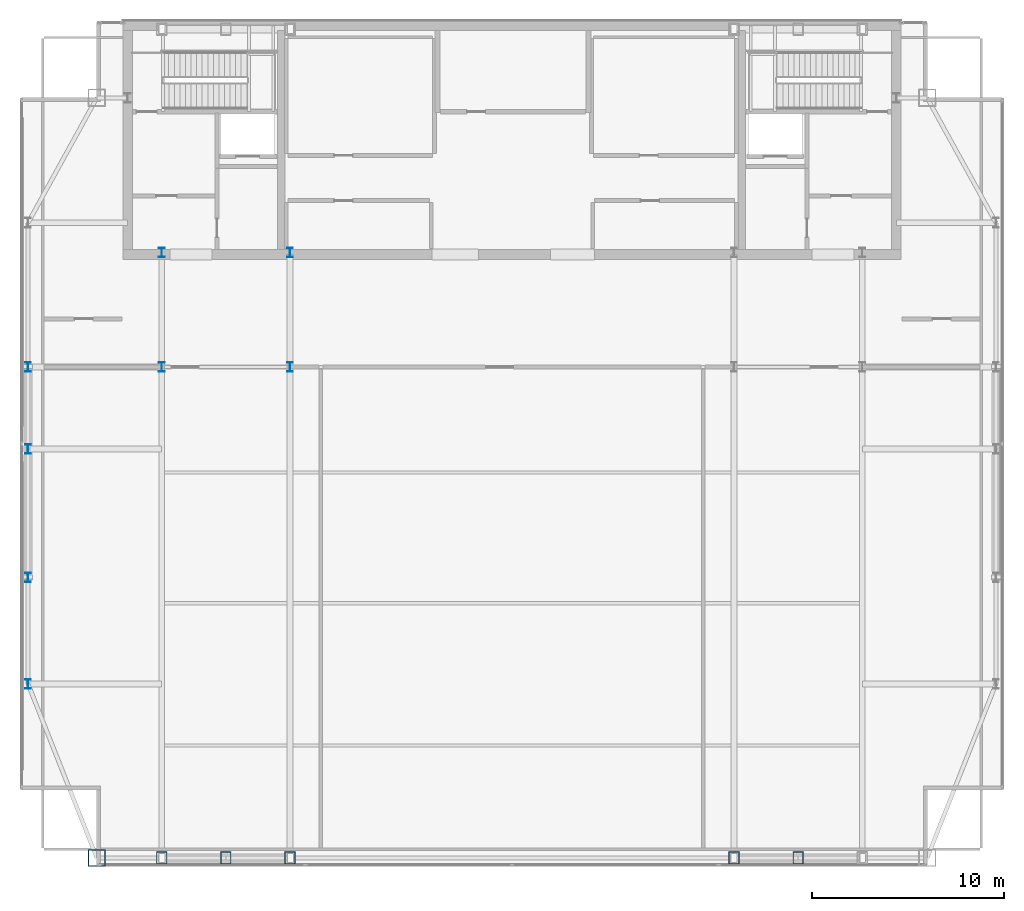
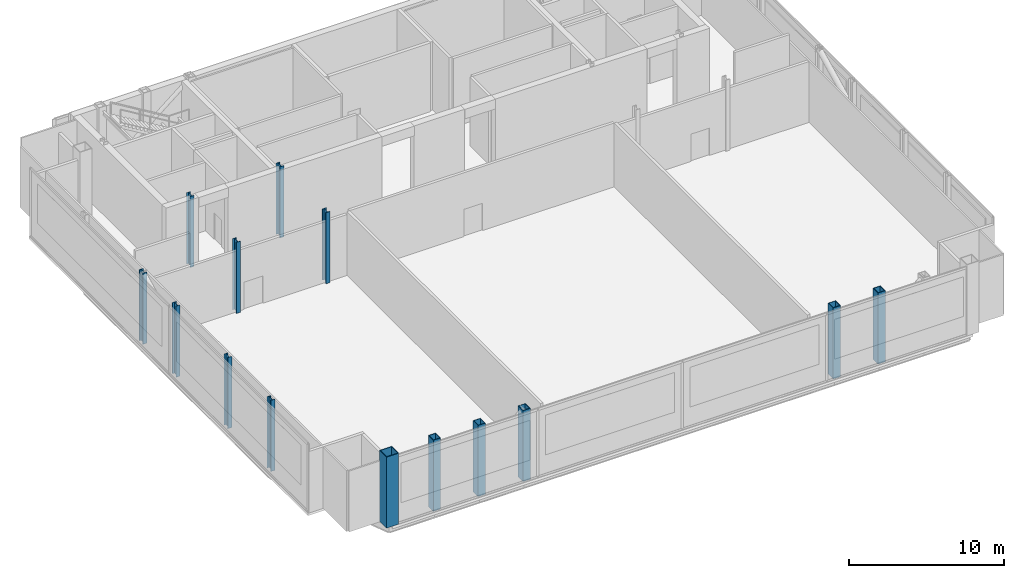
# One storey, part 1 of 22: 14 columns.
"""IFC4 building model written with IfcOpenShell, lengths in metres."""

from ifc_helpers import new_model, si_unit, direction, frame, origin, origin_2d, place, context, subcontext, project, spatial, hollow_rectangle, i_section, extrude, material, material_profile, profile_set, type_object, element, save


model = new_model("IFC4")

# Units and contexts
model_context = context("Model", 3, precision=1e-05, world=origin(), true_north=direction((0.0, 1.0)))
body_context = subcontext(model_context, "Body", "Model", "MODEL_VIEW")
ifc_project = project(units=[si_unit("LENGTHUNIT", "METRE"), si_unit("AREAUNIT", "SQUARE_METRE"), si_unit("VOLUMEUNIT", "CUBIC_METRE"), si_unit("PLANEANGLEUNIT", "RADIAN"), si_unit("MASSUNIT", "GRAM", prefix="KILO")], contexts=[model_context])

# Site, building, storey
site_placement = place(None, origin())
site = spatial("IfcSite", under=ifc_project, at=site_placement, CompositionType="ELEMENT")
building_placement = place(site_placement, origin())
building = spatial("IfcBuilding", under=site, at=building_placement, Name="Khoronbel Lancet Exchange", CompositionType="ELEMENT")
storey_placement = place(building_placement, frame((0.0, 0.0, 367.39990234375)))
storey = spatial("IfcBuildingStorey", under=building, at=storey_placement, Name="L94", CompositionType="ELEMENT", Elevation=367.39990234375)

# Columns
ifc_material_1 = material(Name="Steel S355", Category="steel")
ifc_material_profile_1 = material_profile(ifc_material_1, i_section(OverallWidth=0.300048828125, OverallDepth=0.5, WebThickness=0.014404296875, FlangeThickness=0.028076171875, at=origin_2d()), Name="HEB 500")
ifc_profile_set_1 = profile_set([ifc_material_profile_1], Name="Steel S355")
column_type_1 = type_object("IfcColumnType", Name="COL-CRC1", PredefinedType="COLUMN", material=ifc_profile_set_1)
for number, where, z_axis, x_axis, name in (
    (1, (11.27001953125, 19.199951171875, 0.0), (0.0, 0.0, 1.0), (1.0, 0.0, 0.0), "CROWN FRAME column WC-1 L94"),
    (2, (11.27001953125, 24.75, 0.0), (0.0, 0.0, 1.0), (1.0, 0.0, 0.0), "CROWN FRAME column WC-2 L94"),
    (3, (11.27001953125, 31.425048828125, 0.0), (0.0, 0.0, 1.0), (1.0, 0.0, 0.0), "CROWN FRAME column WC-M L94"),
    (4, (11.27001953125, 35.699951171875, 0.0), (0.0, 0.0, 1.0), (1.0, 0.0, 0.0), "CROWN FRAME column WC-3 L94"),
    (5, (18.22509765625, 35.699951171875, 0.0), (0.0, 0.0, 1.0), (1.0, 0.0, 0.0), "CROWN FRAME spine column TC1 L94"),
    (6, (18.22509765625, 41.64990234375, 0.0), (0.0, 0.0, 1.0), (1.0, 0.0, 0.0), "Core-embedded steel column CTC1 L94"),
    (7, (24.89990234375, 35.699951171875, 0.0), (0.0, 0.0, 1.0), (1.0, 0.0, 0.0), "CROWN FRAME spine column TC2 L94"),
    (8, (24.89990234375, 41.64990234375, 0.0), (0.0, 0.0, 1.0), (1.0, 0.0, 0.0), "Core-embedded steel column CTC2 L94"),
):
    element("IfcColumn", number, at=place(storey_placement, frame(where, z_axis=z_axis, x_axis=x_axis)), inside=storey, type_object=column_type_1, Name=name, PredefinedType="COLUMN", context=body_context, shape_type="SweptSolid", body=[
        extrude(i_section(OverallWidth=0.300048828125, OverallDepth=0.5, WebThickness=0.014404296875, FlangeThickness=0.028076171875, at=origin_2d()), origin(), (0.0, 0.0, 1.0), 5.60009765625),
    ])
ifc_material_2 = material(Name="Steel S460", Category="steel")
ifc_material_profile_2 = material_profile(ifc_material_2, hollow_rectangle(XDim=0.550048828125, YDim=0.64990234375, WallThickness=0.0400390625, at=origin_2d()), Name="BOX 650x550x40")
ifc_profile_set_2 = profile_set([ifc_material_profile_2], Name="Steel S460")
column_type_2 = type_object("IfcColumnType", Name="COL-EC4", PredefinedType="COLUMN", material=ifc_profile_set_2)
for number, where, z_axis, x_axis, name in (
    (9, (18.22509765625, 10.14990234375, 0.0), (0.0, 0.0, 1.0), (1.0, 0.0, 0.0), "CROWN FRAME column SC-W1 L94"),
    (10, (21.5625, 10.14990234375, 0.0), (0.0, 0.0, 1.0), (1.0, 0.0, 0.0), "CROWN FRAME column SC-WM L94"),
    (11, (24.89990234375, 10.14990234375, 0.0), (0.0, 0.0, 1.0), (1.0, 0.0, 0.0), "CROWN FRAME column SC-W2 L94"),
    (12, (48.0, 10.14990234375, 0.0), (0.0, 0.0, 1.0), (1.0, 0.0, 0.0), "CROWN FRAME column SC-E1 L94"),
    (13, (51.33740234375, 10.14990234375, 0.0), (0.0, 0.0, 1.0), (1.0, 0.0, 0.0), "CROWN FRAME column SC-EM L94"),
):
    element("IfcColumn", number, at=place(storey_placement, frame(where, z_axis=z_axis, x_axis=x_axis)), inside=storey, type_object=column_type_2, Name=name, PredefinedType="COLUMN", context=body_context, shape_type="SweptSolid", body=[
        extrude(hollow_rectangle(XDim=0.550048828125, YDim=0.64990234375, WallThickness=0.0400390625, at=origin_2d()), origin(), (0.0, 0.0, 1.0), 5.60009765625),
    ])
ifc_material_profile_3 = material_profile(ifc_material_2, hollow_rectangle(XDim=0.89990234375, YDim=0.89990234375, WallThickness=0.050048828125, at=origin_2d()), Name="BOX 900x900x50")
ifc_profile_set_3 = profile_set([ifc_material_profile_3], Name="Steel S460")
column_type_3 = type_object("IfcColumnType", Name="COL-MC7", PredefinedType="COLUMN", material=ifc_profile_set_3)
column_placement = place(storey_placement, frame((14.85009765625, 10.14990234375, 0.0), z_axis=(0.0, 0.0, 1.0), x_axis=(1.0, 0.0, 0.0)))
element("IfcColumn", 14, at=column_placement, inside=storey, type_object=column_type_3, Name="CROWN FRAME column MC-SW L94", PredefinedType="COLUMN", context=body_context, shape_type="SweptSolid", body=[
    extrude(hollow_rectangle(XDim=0.89990234375, YDim=0.89990234375, WallThickness=0.050048828125, at=origin_2d()), origin(), (0.0, 0.0, 1.0), 5.60009765625),
])

save(model, "model.ifc")
